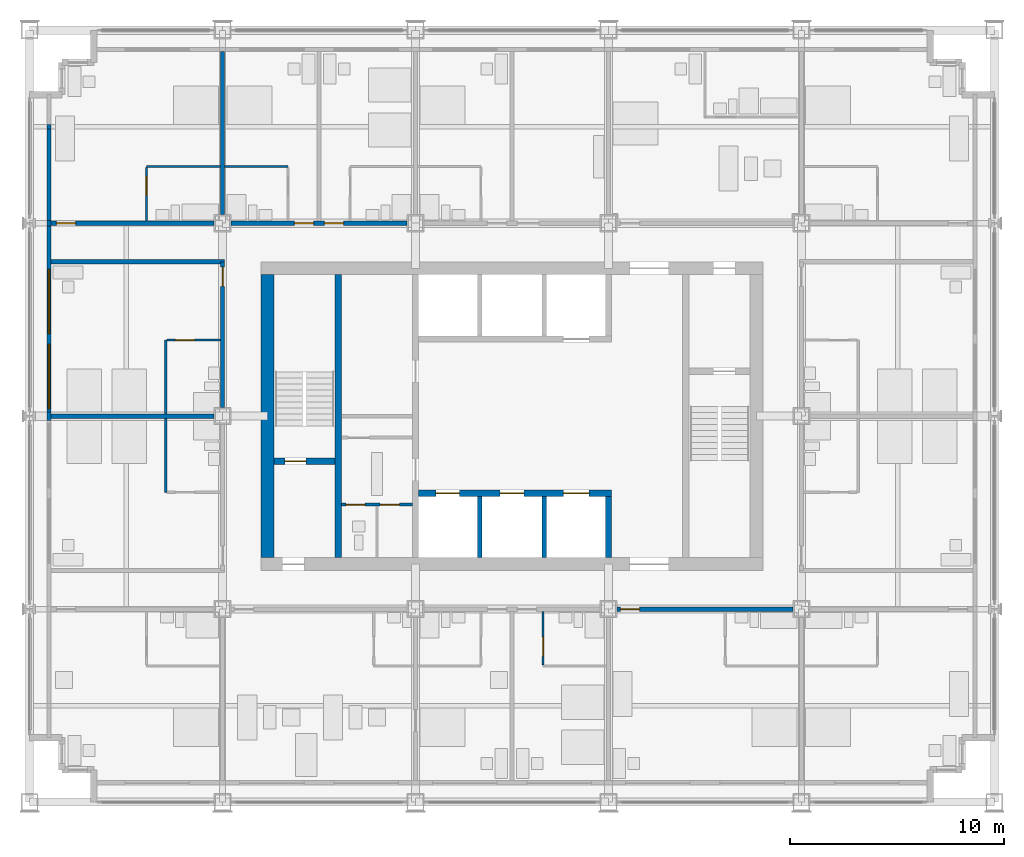
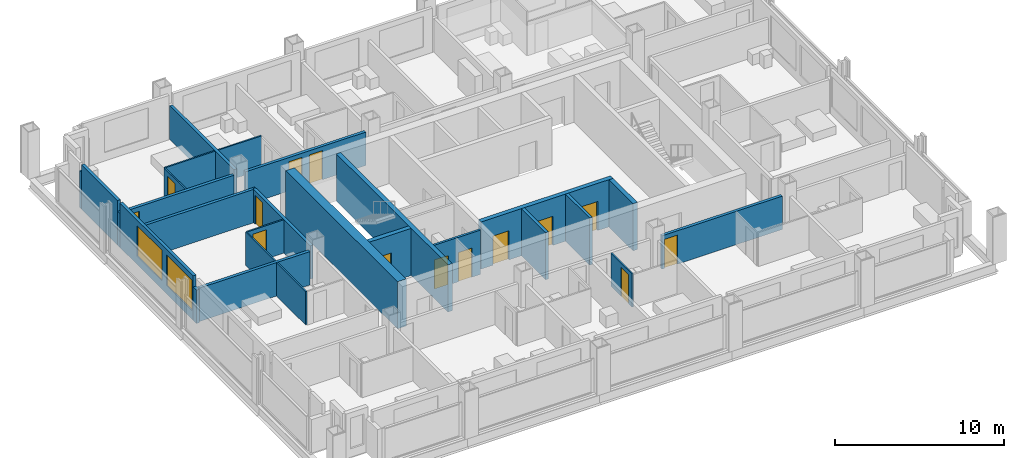
# One storey, part 10 of 16: 27 walls, 14 doors, 2 windows, 16 openings.
"""IFC4 building model written with IfcOpenShell, lengths in metres."""

from ifc_helpers import new_model, si_unit, direction, frame, frame_2d, origin, place, context, subcontext, project, spatial, rectangle, extrude, material, layer, layer_set, type_object, element, fill, save


model = new_model("IFC4")

# Units and contexts
model_context = context("Model", 3, precision=1e-05, world=origin(), true_north=direction((0.0, 1.0)))
body_context = subcontext(model_context, "Body", "Model", "MODEL_VIEW")
ifc_project = project(units=[si_unit("LENGTHUNIT", "METRE"), si_unit("AREAUNIT", "SQUARE_METRE"), si_unit("VOLUMEUNIT", "CUBIC_METRE"), si_unit("PLANEANGLEUNIT", "RADIAN"), si_unit("MASSUNIT", "GRAM", prefix="KILO")], contexts=[model_context])

# Site, building, storey
site_placement = place(None, origin())
site = spatial("IfcSite", under=ifc_project, at=site_placement, CompositionType="ELEMENT")
building_placement = place(site_placement, origin())
building = spatial("IfcBuilding", under=site, at=building_placement, Name="Loomwork Tower", CompositionType="ELEMENT")
storey_placement = place(building_placement, frame((0.0, 0.0, 131.60009765625)))
storey = spatial("IfcBuildingStorey", under=building, at=storey_placement, Name="L35", CompositionType="ELEMENT", Elevation=131.60009765625)

# Wall
ifc_material_1 = material(Name="Concrete 14000 psi (97 MPa)", Category="concrete")
ifc_layer_1 = layer(ifc_material_1, 0.300048828125)
ifc_layer_set_1 = layer_set([ifc_layer_1], Name="Core shear wall 300")
wall_type_1 = type_object("IfcWallType", Name="Core shear wall 300", PredefinedType="SHEAR", material=ifc_layer_set_1)
wall_1_placement = place(storey_placement, frame((14.39990234375, 11.39990234375, 0.0), z_axis=(0.0, 0.0, 1.0), x_axis=(0.0, 1.0, 0.0)))
element("IfcWall", 1, at=wall_1_placement, inside=storey, type_object=wall_type_1, Name="Stair A east wall L35", PredefinedType="SHEAR", context=body_context, shape_type="SweptSolid", body=[
    extrude(rectangle(XDim=13.2001953125, YDim=0.300048828125, at=frame_2d((6.60009765625, 0.0))), origin(), (0.0, 0.0, 1.0), 3.39990234375),
])

# Wall, opening, door
wall_2_placement = place(storey_placement, frame((11.39990234375, 15.89990234375, 0.0), z_axis=(0.0, 0.0, 1.0), x_axis=(1.0, 0.0, 0.0)))
wall_2 = element("IfcWall", 2, at=wall_2_placement, inside=storey, type_object=wall_type_1, Name="Stair A south wall L35", PredefinedType="SHEAR", context=body_context, shape_type="SweptSolid", body=[
    extrude(rectangle(XDim=2.85009765625, YDim=0.300048828125, at=frame_2d((1.425048828125, 0.0))), origin(), (0.0, 0.0, 1.0), 3.39990234375),
])
opening_1_placement = place(wall_2_placement, frame((0.5, 0.0, 0.0)))
opening_1 = element("IfcOpeningElement", 3, at=opening_1_placement, cuts=wall_2, Name="Opening D4", PredefinedType="OPENING", context=body_context, shape_type="SweptSolid", body=[
    extrude(rectangle(XDim=1.0, YDim=2.10009765625, at=frame_2d((0.5, 1.050048828125))), frame((0.0, 0.159912109375, 0.0), z_axis=(0.0, -1.0, 0.0), x_axis=(1.0, 0.0, 0.0)), (0.0, 0.0, 1.0), 0.320068359375),
])
ifc_material_2 = material(Name="Hollow metal door and frame")
door_type_1 = type_object("IfcDoorType", Name="Stair door 1000", OperationType="SINGLE_SWING_RIGHT", PredefinedType="DOOR", material=ifc_material_2)
door_1_placement = place(opening_1_placement, origin())
door_1 = element("IfcDoor", 4, at=door_1_placement, inside=storey, type_object=door_type_1, Name="Stair A door", OperationType="SINGLE_SWING_LEFT", OverallHeight=2.10009765625, OverallWidth=1.0, PredefinedType="DOOR", context=body_context, shape_type="SweptSolid", body=[
    extrude(rectangle(XDim=1.0, YDim=2.10009765625, at=frame_2d((0.5, 1.050048828125))), frame((0.0, 0.02490234375, 0.0), z_axis=(0.0, -1.0, 0.0), x_axis=(1.0, 0.0, 0.0)), (0.0, 0.0, 1.0), 0.050048828125),
])
fill(opening_1, door_1)

# Wall, openings, doors
wall_3_placement = place(storey_placement, frame((18.14990234375, 14.39990234375, 0.0), z_axis=(0.0, 0.0, 1.0), x_axis=(1.0, 0.0, 0.0)))
wall_3 = element("IfcWall", 5, at=wall_3_placement, inside=storey, type_object=wall_type_1, Name="Lift front wall south L35", PredefinedType="SHEAR", context=body_context, shape_type="SweptSolid", body=[
    extrude(rectangle(XDim=9.0, YDim=0.300048828125, at=frame_2d((4.5, 0.0))), origin(), (0.0, 0.0, 1.0), 3.39990234375),
])
opening_2_placement = place(wall_3_placement, frame((0.800048828125, 0.0, 0.0)))
opening_2 = element("IfcOpeningElement", 6, at=opening_2_placement, cuts=wall_3, Name="Opening LD1", PredefinedType="OPENING", context=body_context, shape_type="SweptSolid", body=[
    extrude(rectangle(XDim=1.10009765625, YDim=2.10009765625, at=frame_2d((0.550048828125, 1.050048828125))), frame((0.0, 0.159912109375, 0.0), z_axis=(0.0, -1.0, 0.0), x_axis=(1.0, 0.0, 0.0)), (0.0, 0.0, 1.0), 0.320068359375),
])
opening_3_placement = place(wall_3_placement, frame((3.800048828125, 0.0, 0.0)))
opening_3 = element("IfcOpeningElement", 7, at=opening_3_placement, cuts=wall_3, Name="Opening LD1", PredefinedType="OPENING", context=body_context, shape_type="SweptSolid", body=[
    extrude(rectangle(XDim=1.10009765625, YDim=2.10009765625, at=frame_2d((0.550048828125, 1.050048828125))), frame((0.0, 0.159912109375, 0.0), z_axis=(0.0, -1.0, 0.0), x_axis=(1.0, 0.0, 0.0)), (0.0, 0.0, 1.0), 0.320068359375),
])
opening_4_placement = place(wall_3_placement, frame((6.75, 0.0, 0.0)))
opening_4 = element("IfcOpeningElement", 8, at=opening_4_placement, cuts=wall_3, Name="Opening LD2", PredefinedType="OPENING", context=body_context, shape_type="SweptSolid", body=[
    extrude(rectangle(XDim=1.199951171875, YDim=2.10009765625, at=frame_2d((0.60009765625, 1.050048828125))), frame((0.0, 0.159912109375, 0.0), z_axis=(0.0, -1.0, 0.0), x_axis=(1.0, 0.0, 0.0)), (0.0, 0.0, 1.0), 0.320068359375),
])
ifc_material_3 = material(Name="Hollow metal door and frame")
door_type_2 = type_object("IfcDoorType", Name="Lift landing door 1100", OperationType="SLIDING_TO_LEFT", PredefinedType="DOOR", material=ifc_material_3)
door_2_placement = place(opening_2_placement, origin())
door_2 = element("IfcDoor", 9, at=door_2_placement, inside=storey, type_object=door_type_2, Name="Lift landing door LB1", OperationType="SLIDING_TO_LEFT", OverallHeight=2.10009765625, OverallWidth=1.10009765625, PredefinedType="DOOR", context=body_context, shape_type="SweptSolid", body=[
    extrude(rectangle(XDim=1.10009765625, YDim=2.10009765625, at=frame_2d((0.550048828125, 1.050048828125))), frame((0.0, 0.02490234375, 0.0), z_axis=(0.0, -1.0, 0.0), x_axis=(1.0, 0.0, 0.0)), (0.0, 0.0, 1.0), 0.050048828125),
])
fill(opening_2, door_2)
door_3_placement = place(opening_3_placement, origin())
door_3 = element("IfcDoor", 10, at=door_3_placement, inside=storey, type_object=door_type_2, Name="Lift landing door LB2", OperationType="SLIDING_TO_LEFT", OverallHeight=2.10009765625, OverallWidth=1.10009765625, PredefinedType="DOOR", context=body_context, shape_type="SweptSolid", body=[
    extrude(rectangle(XDim=1.10009765625, YDim=2.10009765625, at=frame_2d((0.550048828125, 1.050048828125))), frame((0.0, 0.02490234375, 0.0), z_axis=(0.0, -1.0, 0.0), x_axis=(1.0, 0.0, 0.0)), (0.0, 0.0, 1.0), 0.050048828125),
])
fill(opening_3, door_3)
ifc_material_4 = material(Name="Hollow metal door and frame")
door_type_3 = type_object("IfcDoorType", Name="Lift landing door 1200", OperationType="SLIDING_TO_LEFT", PredefinedType="DOOR", material=ifc_material_4)
door_4_placement = place(opening_4_placement, origin())
door_4 = element("IfcDoor", 11, at=door_4_placement, inside=storey, type_object=door_type_3, Name="Lift landing door LF1", OperationType="SLIDING_TO_LEFT", OverallHeight=2.10009765625, OverallWidth=1.199951171875, PredefinedType="DOOR", context=body_context, shape_type="SweptSolid", body=[
    extrude(rectangle(XDim=1.199951171875, YDim=2.10009765625, at=frame_2d((0.60009765625, 1.050048828125))), frame((0.0, 0.02490234375, 0.0), z_axis=(0.0, -1.0, 0.0), x_axis=(1.0, 0.0, 0.0)), (0.0, 0.0, 1.0), 0.050048828125),
])
fill(opening_4, door_4)

# Walls
wall_4_placement = place(storey_placement, frame((27.0, 11.39990234375, 0.0), z_axis=(0.0, 0.0, 1.0), x_axis=(0.0, 1.0, 0.0)))
element("IfcWall", 12, at=wall_4_placement, inside=storey, type_object=wall_type_1, Name="Lift shaft end wall south L35", PredefinedType="SHEAR", context=body_context, shape_type="SweptSolid", body=[
    extrude(rectangle(XDim=2.85009765625, YDim=0.300048828125, at=frame_2d((1.425048828125, 0.0))), origin(), (0.0, 0.0, 1.0), 3.39990234375),
])
ifc_material_5 = material(Name="Concrete 14000 psi (97 MPa)", Category="concrete")
ifc_layer_2 = layer(ifc_material_5, 0.60009765625)
ifc_layer_set_2 = layer_set([ifc_layer_2], Name="Core shear wall 600")
wall_type_2 = type_object("IfcWallType", Name="Core shear wall 600", PredefinedType="SHEAR", material=ifc_layer_set_2)
wall_5_placement = place(storey_placement, frame((11.10009765625, 11.39990234375, 0.0), z_axis=(0.0, 0.0, 1.0), x_axis=(0.0, 1.0, 0.0)))
element("IfcWall", 13, at=wall_5_placement, inside=storey, type_object=wall_type_2, Name="Core wall west L35", PredefinedType="SHEAR", context=body_context, shape_type="SweptSolid", body=[
    extrude(rectangle(XDim=13.2001953125, YDim=0.60009765625, at=frame_2d((6.60009765625, 0.0))), origin(), (0.0, 0.0, 1.0), 3.39990234375),
])

# Wall, opening, door
ifc_material_6 = material(Name="Gypsum board on steel studs, one-hour", Category="steel")
ifc_layer_3 = layer(ifc_material_6, 0.199951171875)
ifc_layer_set_3 = layer_set([ifc_layer_3], Name="Corridor wall 200")
wall_type_3 = type_object("IfcWallType", Name="Corridor wall 200", PredefinedType="PARTITIONING", material=ifc_layer_set_3)
wall_6_placement = place(storey_placement, frame((27.39990234375, 9.0, 0.0), z_axis=(0.0, 0.0, 1.0), x_axis=(1.0, 0.0, 0.0)))
wall_6 = element("IfcWall", 14, at=wall_6_placement, inside=storey, type_object=wall_type_3, Name="South corridor wall 4", PredefinedType="PARTITIONING", context=body_context, shape_type="SweptSolid", body=[
    extrude(rectangle(XDim=8.2001953125, YDim=0.199951171875, at=frame_2d((4.10009765625, 0.0))), origin(), (0.0, 0.0, 1.0), 2.40478515625),
])
opening_5_placement = place(wall_6_placement, frame((0.14990234375, 0.0, 0.0)))
opening_5 = element("IfcOpeningElement", 15, at=opening_5_placement, cuts=wall_6, Name="Opening D1", PredefinedType="OPENING", context=body_context, shape_type="SweptSolid", body=[
    extrude(rectangle(XDim=0.89990234375, YDim=2.10009765625, at=frame_2d((0.449951171875, 1.050048828125))), frame((0.0, 0.10986328125, 0.0), z_axis=(0.0, -1.0, 0.0), x_axis=(1.0, 0.0, 0.0)), (0.0, 0.0, 1.0), 0.219970703125),
])
ifc_material_7 = material(Name="Hollow metal door and frame")
door_type_4 = type_object("IfcDoorType", Name="Guest room entry door 900", OperationType="SINGLE_SWING_LEFT", PredefinedType="DOOR", material=ifc_material_7)
door_5_placement = place(opening_5_placement, frame((0.89990234375, 0.0, 0.0), z_axis=(0.0, 0.0, 1.0), x_axis=(-1.0, 0.0, 0.0)))
door_5 = element("IfcDoor", 16, at=door_5_placement, inside=storey, type_object=door_type_4, Name="Guest room entry door L35 5", OperationType="SINGLE_SWING_RIGHT", OverallHeight=2.10009765625, OverallWidth=0.89990234375, PredefinedType="DOOR", context=body_context, shape_type="SweptSolid", body=[
    extrude(rectangle(XDim=0.89990234375, YDim=2.10009765625, at=frame_2d((0.449951171875, 1.050048828125))), frame((0.0, 0.02490234375, 0.0), z_axis=(0.0, -1.0, 0.0), x_axis=(1.0, 0.0, 0.0)), (0.0, 0.0, 1.0), 0.050048828125),
])
fill(opening_5, door_5)

wall_7_placement = place(storey_placement, frame((1.0, 27.0, 0.0), z_axis=(0.0, 0.0, 1.0), x_axis=(1.0, 0.0, 0.0)))
wall_7 = element("IfcWall", 17, at=wall_7_placement, inside=storey, type_object=wall_type_3, Name="North corridor wall 1", PredefinedType="PARTITIONING", context=body_context, shape_type="SweptSolid", body=[
    extrude(rectangle(XDim=7.60009765625, YDim=0.199951171875, at=frame_2d((3.800048828125, 0.0))), origin(), (0.0, 0.0, 1.0), 2.43798828125),
])
opening_6_placement = place(wall_7_placement, frame((0.25, 0.0, 0.0)))
opening_6 = element("IfcOpeningElement", 18, at=opening_6_placement, cuts=wall_7, Name="Opening D1", PredefinedType="OPENING", context=body_context, shape_type="SweptSolid", body=[
    extrude(rectangle(XDim=0.89990234375, YDim=2.10009765625, at=frame_2d((0.449951171875, 1.050048828125))), frame((0.0, 0.10986328125, 0.0), z_axis=(0.0, -1.0, 0.0), x_axis=(1.0, 0.0, 0.0)), (0.0, 0.0, 1.0), 0.219970703125),
])
door_6_placement = place(opening_6_placement, origin())
door_6 = element("IfcDoor", 19, at=door_6_placement, inside=storey, type_object=door_type_4, Name="Guest room entry door L35 7", OperationType="SINGLE_SWING_LEFT", OverallHeight=2.10009765625, OverallWidth=0.89990234375, PredefinedType="DOOR", context=body_context, shape_type="SweptSolid", body=[
    extrude(rectangle(XDim=0.89990234375, YDim=2.10009765625, at=frame_2d((0.449951171875, 1.050048828125))), frame((0.0, 0.02490234375, 0.0), z_axis=(0.0, -1.0, 0.0), x_axis=(1.0, 0.0, 0.0)), (0.0, 0.0, 1.0), 0.050048828125),
])
fill(opening_6, door_6)

# Wall, openings, doors
wall_8_placement = place(storey_placement, frame((9.39990234375, 27.0, 0.0), z_axis=(0.0, 0.0, 1.0), x_axis=(1.0, 0.0, 0.0)))
wall_8 = element("IfcWall", 20, at=wall_8_placement, inside=storey, type_object=wall_type_3, Name="North corridor wall 2", PredefinedType="PARTITIONING", context=body_context, shape_type="SweptSolid", body=[
    extrude(rectangle(XDim=8.2001953125, YDim=0.199951171875, at=frame_2d((4.10009765625, 0.0))), origin(), (0.0, 0.0, 1.0), 2.40478515625),
])
opening_7_placement = place(wall_8_placement, frame((2.949951171875, 0.0, 0.0)))
opening_7 = element("IfcOpeningElement", 21, at=opening_7_placement, cuts=wall_8, Name="Opening D1", PredefinedType="OPENING", context=body_context, shape_type="SweptSolid", body=[
    extrude(rectangle(XDim=0.89990234375, YDim=2.10009765625, at=frame_2d((0.449951171875, 1.050048828125))), frame((0.0, 0.10986328125, 0.0), z_axis=(0.0, -1.0, 0.0), x_axis=(1.0, 0.0, 0.0)), (0.0, 0.0, 1.0), 0.219970703125),
])
opening_8_placement = place(wall_8_placement, frame((4.35009765625, 0.0, 0.0)))
opening_8 = element("IfcOpeningElement", 22, at=opening_8_placement, cuts=wall_8, Name="Opening D1", PredefinedType="OPENING", context=body_context, shape_type="SweptSolid", body=[
    extrude(rectangle(XDim=0.89990234375, YDim=2.10009765625, at=frame_2d((0.449951171875, 1.050048828125))), frame((0.0, 0.10986328125, 0.0), z_axis=(0.0, -1.0, 0.0), x_axis=(1.0, 0.0, 0.0)), (0.0, 0.0, 1.0), 0.219970703125),
])
door_7_placement = place(opening_7_placement, origin())
door_7 = element("IfcDoor", 23, at=door_7_placement, inside=storey, type_object=door_type_4, Name="Guest room entry door L35 8", OperationType="SINGLE_SWING_RIGHT", OverallHeight=2.10009765625, OverallWidth=0.89990234375, PredefinedType="DOOR", context=body_context, shape_type="SweptSolid", body=[
    extrude(rectangle(XDim=0.89990234375, YDim=2.10009765625, at=frame_2d((0.449951171875, 1.050048828125))), frame((0.0, 0.02490234375, 0.0), z_axis=(0.0, -1.0, 0.0), x_axis=(1.0, 0.0, 0.0)), (0.0, 0.0, 1.0), 0.050048828125),
])
fill(opening_7, door_7)
door_8_placement = place(opening_8_placement, origin())
door_8 = element("IfcDoor", 24, at=door_8_placement, inside=storey, type_object=door_type_4, Name="Guest room entry door L35 9", OperationType="SINGLE_SWING_LEFT", OverallHeight=2.10009765625, OverallWidth=0.89990234375, PredefinedType="DOOR", context=body_context, shape_type="SweptSolid", body=[
    extrude(rectangle(XDim=0.89990234375, YDim=2.10009765625, at=frame_2d((0.449951171875, 1.050048828125))), frame((0.0, 0.02490234375, 0.0), z_axis=(0.0, -1.0, 0.0), x_axis=(1.0, 0.0, 0.0)), (0.0, 0.0, 1.0), 0.050048828125),
])
fill(opening_8, door_8)

# Wall, opening, door
wall_9_placement = place(storey_placement, frame((9.0, 18.39990234375, 0.0), z_axis=(0.0, 0.0, 1.0), x_axis=(0.0, 1.0, 0.0)))
wall_9 = element("IfcWall", 25, at=wall_9_placement, inside=storey, type_object=wall_type_3, Name="West corridor wall 2", PredefinedType="PARTITIONING", context=body_context, shape_type="SweptSolid", body=[
    extrude(rectangle(XDim=6.800048828125, YDim=0.199951171875, at=frame_2d((3.39990234375, 0.0))), origin(), (0.0, 0.0, 1.0), 2.40478515625),
])
opening_9_placement = place(wall_9_placement, frame((5.64990234375, 0.0, 0.0)))
opening_9 = element("IfcOpeningElement", 26, at=opening_9_placement, cuts=wall_9, Name="Opening D1", PredefinedType="OPENING", context=body_context, shape_type="SweptSolid", body=[
    extrude(rectangle(XDim=0.89990234375, YDim=2.10009765625, at=frame_2d((0.449951171875, 1.050048828125))), frame((0.0, 0.10986328125, 0.0), z_axis=(0.0, -1.0, 0.0), x_axis=(1.0, 0.0, 0.0)), (0.0, 0.0, 1.0), 0.219970703125),
])
door_9_placement = place(opening_9_placement, origin())
door_9 = element("IfcDoor", 27, at=door_9_placement, inside=storey, type_object=door_type_4, Name="Guest room entry door L35 15", OperationType="SINGLE_SWING_RIGHT", OverallHeight=2.10009765625, OverallWidth=0.89990234375, PredefinedType="DOOR", context=body_context, shape_type="SweptSolid", body=[
    extrude(rectangle(XDim=0.89990234375, YDim=2.10009765625, at=frame_2d((0.449951171875, 1.050048828125))), frame((0.0, 0.02490234375, 0.0), z_axis=(0.0, -1.0, 0.0), x_axis=(1.0, 0.0, 0.0)), (0.0, 0.0, 1.0), 0.050048828125),
])
fill(opening_9, door_9)

# Wall
wall_10_placement = place(storey_placement, frame((1.0, 25.199951171875, 0.0), z_axis=(0.0, 0.0, 1.0), x_axis=(1.0, 0.0, 0.0)))
element("IfcWall", 28, at=wall_10_placement, inside=storey, type_object=wall_type_3, Name="West band end wall N", PredefinedType="PARTITIONING", context=body_context, shape_type="SweptSolid", body=[
    extrude(rectangle(XDim=8.10009765625, YDim=0.199951171875, at=frame_2d((4.050048828125, 0.0))), origin(), (0.0, 0.0, 1.0), 2.40380859375),
])

# Wall, opening, door
ifc_material_8 = material(Name="Cement board on steel studs", Category="steel")
ifc_layer_4 = layer(ifc_material_8, 0.10009765625)
ifc_layer_set_4 = layer_set([ifc_layer_4], Name="En-suite partition 100")
wall_type_4 = type_object("IfcWallType", Name="En-suite partition 100", PredefinedType="PARTITIONING", material=ifc_layer_set_4)
wall_11_placement = place(storey_placement, frame((23.949951171875, 8.89990234375, 0.0), z_axis=(0.0, 0.0, 1.0), x_axis=(0.0, -1.0, 0.0)))
wall_11 = element("IfcWall", 29, at=wall_11_placement, inside=storey, type_object=wall_type_4, Name="En-suite side wall L35 room 4", PredefinedType="PARTITIONING", context=body_context, shape_type="SweptSolid", body=[
    extrude(rectangle(XDim=2.5, YDim=0.10009765625, at=frame_2d((1.25, 0.0))), origin(), (0.0, 0.0, 1.0), 2.40380859375),
])
opening_10_placement = place(wall_11_placement, frame((1.199951171875, 0.0, 0.0)))
opening_10 = element("IfcOpeningElement", 30, at=opening_10_placement, cuts=wall_11, Name="Opening D2", PredefinedType="OPENING", context=body_context, shape_type="SweptSolid", body=[
    extrude(rectangle(XDim=0.89990234375, YDim=2.10009765625, at=frame_2d((0.449951171875, 1.050048828125))), frame((0.0, 0.06005859375, 0.0), z_axis=(0.0, -1.0, 0.0), x_axis=(1.0, 0.0, 0.0)), (0.0, 0.0, 1.0), 0.1201171875),
])
ifc_material_9 = material(Name="Hollow metal door and frame")
door_type_5 = type_object("IfcDoorType", Name="En-suite door 900", OperationType="SINGLE_SWING_LEFT", PredefinedType="DOOR", material=ifc_material_9)
door_10_placement = place(opening_10_placement, origin())
door_10 = element("IfcDoor", 31, at=door_10_placement, inside=storey, type_object=door_type_5, Name="En-suite door room 4", OperationType="SINGLE_SWING_RIGHT", OverallHeight=2.10009765625, OverallWidth=0.89990234375, PredefinedType="DOOR", context=body_context, shape_type="SweptSolid", body=[
    extrude(rectangle(XDim=0.89990234375, YDim=2.10009765625, at=frame_2d((0.449951171875, 1.050048828125))), frame((0.0, 0.02490234375, 0.0), z_axis=(0.0, -1.0, 0.0), x_axis=(1.0, 0.0, 0.0)), (0.0, 0.0, 1.0), 0.050048828125),
])
fill(opening_10, door_10)

# Wall
wall_12_placement = place(storey_placement, frame((5.449951171875, 29.64990234375, 0.0), z_axis=(0.0, 0.0, 1.0), x_axis=(1.0, 0.0, 0.0)))
element("IfcWall", 32, at=wall_12_placement, inside=storey, type_object=wall_type_4, Name="En-suite wall L35 room 7", PredefinedType="PARTITIONING", context=body_context, shape_type="SweptSolid", body=[
    extrude(rectangle(XDim=3.449951171875, YDim=0.10009765625, at=frame_2d((1.72509765625, 0.0))), origin(), (0.0, 0.0, 1.0), 2.43798828125),
])

# Wall, opening, door
wall_13_placement = place(storey_placement, frame((5.449951171875, 27.10009765625, 0.0), z_axis=(0.0, 0.0, 1.0), x_axis=(0.0, 1.0, 0.0)))
wall_13 = element("IfcWall", 33, at=wall_13_placement, inside=storey, type_object=wall_type_4, Name="En-suite side wall L35 room 7", PredefinedType="PARTITIONING", context=body_context, shape_type="SweptSolid", body=[
    extrude(rectangle(XDim=2.5, YDim=0.10009765625, at=frame_2d((1.25, 0.0))), origin(), (0.0, 0.0, 1.0), 2.43798828125),
])
opening_11_placement = place(wall_13_placement, frame((1.199951171875, 0.0, 0.0)))
opening_11 = element("IfcOpeningElement", 34, at=opening_11_placement, cuts=wall_13, Name="Opening D2", PredefinedType="OPENING", context=body_context, shape_type="SweptSolid", body=[
    extrude(rectangle(XDim=0.89990234375, YDim=2.10009765625, at=frame_2d((0.449951171875, 1.050048828125))), frame((0.0, 0.06005859375, 0.0), z_axis=(0.0, -1.0, 0.0), x_axis=(1.0, 0.0, 0.0)), (0.0, 0.0, 1.0), 0.1201171875),
])
door_11_placement = place(opening_11_placement, frame((0.89990234375, 0.0, 0.0), z_axis=(0.0, 0.0, 1.0), x_axis=(-1.0, 0.0, 0.0)))
door_11 = element("IfcDoor", 35, at=door_11_placement, inside=storey, type_object=door_type_5, Name="En-suite door room 7", OperationType="SINGLE_SWING_LEFT", OverallHeight=2.10009765625, OverallWidth=0.89990234375, PredefinedType="DOOR", context=body_context, shape_type="SweptSolid", body=[
    extrude(rectangle(XDim=0.89990234375, YDim=2.10009765625, at=frame_2d((0.449951171875, 1.050048828125))), frame((0.0, 0.02490234375, 0.0), z_axis=(0.0, -1.0, 0.0), x_axis=(1.0, 0.0, 0.0)), (0.0, 0.0, 1.0), 0.050048828125),
])
fill(opening_11, door_11)

# Walls
wall_14_placement = place(storey_placement, frame((9.10009765625, 29.64990234375, 0.0), z_axis=(0.0, 0.0, 1.0), x_axis=(1.0, 0.0, 0.0)))
element("IfcWall", 36, at=wall_14_placement, inside=storey, type_object=wall_type_4, Name="En-suite wall L35 room 8", PredefinedType="PARTITIONING", context=body_context, shape_type="SweptSolid", body=[
    extrude(rectangle(XDim=2.949951171875, YDim=0.10009765625, at=frame_2d((1.47509765625, 0.0))), origin(), (0.0, 0.0, 1.0), 2.43798828125),
])
for number, where, z_axis, x_axis, name in (
    (37, (6.35009765625, 14.449951171875, 0.0), (0.0, 0.0, 1.0), (0.0, 1.0, 0.0), "En-suite wall L35 room 14"),
    (38, (6.35009765625, 18.10009765625, 0.0), (0.0, 0.0, 1.0), (0.0, 1.0, 0.0), "En-suite wall L35 room 15"),
):
    element("IfcWall", number, at=place(storey_placement, frame(where, z_axis=z_axis, x_axis=x_axis)), inside=storey, type_object=wall_type_4, Name=name, PredefinedType="PARTITIONING", context=body_context, shape_type="SweptSolid", body=[
        extrude(rectangle(XDim=3.449951171875, YDim=0.10009765625, at=frame_2d((1.72509765625, 0.0))), origin(), (0.0, 0.0, 1.0), 2.40380859375),
    ])

# Wall, opening, door
wall_15_placement = place(storey_placement, frame((8.89990234375, 21.550048828125, 0.0), z_axis=(0.0, 0.0, 1.0), x_axis=(-1.0, 0.0, 0.0)))
wall_15 = element("IfcWall", 39, at=wall_15_placement, inside=storey, type_object=wall_type_4, Name="En-suite side wall L35 room 15", PredefinedType="PARTITIONING", context=body_context, shape_type="SweptSolid", body=[
    extrude(rectangle(XDim=2.5, YDim=0.10009765625, at=frame_2d((1.25, 0.0))), origin(), (0.0, 0.0, 1.0), 2.40380859375),
])
opening_12_placement = place(wall_15_placement, frame((1.199951171875, 0.0, 0.0)))
opening_12 = element("IfcOpeningElement", 40, at=opening_12_placement, cuts=wall_15, Name="Opening D2", PredefinedType="OPENING", context=body_context, shape_type="SweptSolid", body=[
    extrude(rectangle(XDim=0.89990234375, YDim=2.10009765625, at=frame_2d((0.449951171875, 1.050048828125))), frame((0.0, 0.06005859375, 0.0), z_axis=(0.0, -1.0, 0.0), x_axis=(1.0, 0.0, 0.0)), (0.0, 0.0, 1.0), 0.1201171875),
])
door_12_placement = place(opening_12_placement, origin())
door_12 = element("IfcDoor", 41, at=door_12_placement, inside=storey, type_object=door_type_5, Name="En-suite door room 15", OperationType="SINGLE_SWING_RIGHT", OverallHeight=2.10009765625, OverallWidth=0.89990234375, PredefinedType="DOOR", context=body_context, shape_type="SweptSolid", body=[
    extrude(rectangle(XDim=0.89990234375, YDim=2.10009765625, at=frame_2d((0.449951171875, 1.050048828125))), frame((0.0, 0.02490234375, 0.0), z_axis=(0.0, -1.0, 0.0), x_axis=(1.0, 0.0, 0.0)), (0.0, 0.0, 1.0), 0.050048828125),
])
fill(opening_12, door_12)

# Walls
ifc_material_10 = material(Name="Gypsum board on steel studs, acoustic", Category="steel")
ifc_layer_5 = layer(ifc_material_10, 0.199951171875)
ifc_layer_set_5 = layer_set([ifc_layer_5], Name="Guest room party wall 200")
wall_type_5 = type_object("IfcWallType", Name="Guest room party wall 200", PredefinedType="PARTITIONING", material=ifc_layer_set_5)
wall_16_placement = place(storey_placement, frame((9.0, 27.39990234375, 0.0), z_axis=(0.0, 0.0, 1.0), x_axis=(0.0, 1.0, 0.0)))
element("IfcWall", 42, at=wall_16_placement, inside=storey, type_object=wall_type_5, Name="Guest room party wall N 9", PredefinedType="PARTITIONING", context=body_context, shape_type="SweptSolid", body=[
    extrude(rectangle(XDim=7.60009765625, YDim=0.199951171875, at=frame_2d((3.800048828125, 0.0))), origin(), (0.0, 0.0, 1.0), 2.43798828125),
])
wall_17_placement = place(storey_placement, frame((8.60009765625, 18.0, 0.0), z_axis=(0.0, 0.0, 1.0), x_axis=(-1.0, 0.0, 0.0)))
element("IfcWall", 43, at=wall_17_placement, inside=storey, type_object=wall_type_5, Name="Guest room party wall W 18", PredefinedType="PARTITIONING", context=body_context, shape_type="SweptSolid", body=[
    extrude(rectangle(XDim=7.60009765625, YDim=0.199951171875, at=frame_2d((3.800048828125, 0.0))), origin(), (0.0, 0.0, 1.0), 2.40478515625),
])
ifc_material_11 = material(Name="Insulated steel stud wall with gypsum lining", Category="steel")
ifc_layer_6 = layer(ifc_material_11, 0.199951171875)
ifc_layer_set_6 = layer_set([ifc_layer_6], Name="Inner skin wall 200")
wall_type_6 = type_object("IfcWallType", Name="Inner skin wall 200", PredefinedType="SOLIDWALL", material=ifc_layer_set_6)
wall_18_placement = place(storey_placement, frame((0.89990234375, 17.80615234375, 0.0), z_axis=(0.0, 0.0, 1.0), x_axis=(0.0, 1.0, 0.0)))
element("IfcWall", 44, at=wall_18_placement, inside=storey, type_object=wall_type_6, Name="Inner skin wall W bay 6", PredefinedType="SOLIDWALL", context=body_context, shape_type="SweptSolid", body=[
    extrude(rectangle(XDim=0.3876953125, YDim=0.199951171875, at=frame_2d((0.19384765625, 0.0))), origin(), (0.0, 0.0, 1.0), 2.40380859375),
])

# Wall, openings, windows
wall_19_placement = place(storey_placement, frame((0.89990234375, 18.19384765625, 0.0), z_axis=(0.0, 0.0, 1.0), x_axis=(0.0, 1.0, 0.0)))
wall_19 = element("IfcWall", 45, at=wall_19_placement, inside=storey, type_object=wall_type_6, Name="Inner skin wall W bay 7", PredefinedType="SOLIDWALL", context=body_context, shape_type="SweptSolid", body=[
    extrude(rectangle(XDim=8.6708984375, YDim=0.199951171875, at=frame_2d((4.33544921875, 0.0))), origin(), (0.0, 0.0, 1.0), 3.199951171875),
])
opening_13_placement = place(wall_19_placement, frame((0.15625, 0.0, 0.60009765625)))
opening_13 = element("IfcOpeningElement", 46, at=opening_13_placement, cuts=wall_19, Name="Opening CH1", PredefinedType="OPENING", context=body_context, shape_type="SweptSolid", body=[
    extrude(rectangle(XDim=3.0, YDim=2.199951171875, at=frame_2d((1.5, 1.10009765625))), frame((0.0, 0.10986328125, 0.0), z_axis=(0.0, -1.0, 0.0), x_axis=(1.0, 0.0, 0.0)), (0.0, 0.0, 1.0), 0.219970703125),
])
opening_14_placement = place(wall_19_placement, frame((3.65625, 0.0, 0.60009765625)))
opening_14 = element("IfcOpeningElement", 47, at=opening_14_placement, cuts=wall_19, Name="Opening CH1", PredefinedType="OPENING", context=body_context, shape_type="SweptSolid", body=[
    extrude(rectangle(XDim=3.0, YDim=2.199951171875, at=frame_2d((1.5, 1.10009765625))), frame((0.0, 0.10986328125, 0.0), z_axis=(0.0, -1.0, 0.0), x_axis=(1.0, 0.0, 0.0)), (0.0, 0.0, 1.0), 0.219970703125),
])
ifc_material_12 = material(Name="Aluminium frame with clear insulated glass", Category="aluminium")
window_type = type_object("IfcWindowType", Name="Chicago window 3000", PartitioningType="TRIPLE_PANEL_VERTICAL", PredefinedType="WINDOW", material=ifc_material_12)
window_1_placement = place(opening_13_placement, origin())
window_1 = element("IfcWindow", 48, at=window_1_placement, inside=storey, type_object=window_type, Name="Chicago window L35 bay 12", OverallHeight=2.199951171875, OverallWidth=3.0, PartitioningType="TRIPLE_PANEL_VERTICAL", PredefinedType="WINDOW", context=body_context, shape_type="SweptSolid", body=[
    extrude(rectangle(XDim=3.0, YDim=2.199951171875, at=frame_2d((1.5, 1.10009765625))), frame((0.0, 0.030029296875, 0.0), z_axis=(0.0, -1.0, 0.0), x_axis=(1.0, 0.0, 0.0)), (0.0, 0.0, 1.0), 0.06005859375),
])
fill(opening_13, window_1)
window_2_placement = place(opening_14_placement, origin())
window_2 = element("IfcWindow", 49, at=window_2_placement, inside=storey, type_object=window_type, Name="Chicago window L35 bay 12", OverallHeight=2.199951171875, OverallWidth=3.0, PartitioningType="TRIPLE_PANEL_VERTICAL", PredefinedType="WINDOW", context=body_context, shape_type="SweptSolid", body=[
    extrude(rectangle(XDim=3.0, YDim=2.199951171875, at=frame_2d((1.5, 1.10009765625))), frame((0.0, 0.030029296875, 0.0), z_axis=(0.0, -1.0, 0.0), x_axis=(1.0, 0.0, 0.0)), (0.0, 0.0, 1.0), 0.06005859375),
])
fill(opening_14, window_2)

# Walls
wall_20_placement = place(storey_placement, frame((0.89990234375, 26.86474609375, 0.0), z_axis=(0.0, 0.0, 1.0), x_axis=(0.0, 1.0, 0.0)))
element("IfcWall", 50, at=wall_20_placement, inside=storey, type_object=wall_type_6, Name="Inner skin wall W bay 8", PredefinedType="SOLIDWALL", context=body_context, shape_type="SweptSolid", body=[
    extrude(rectangle(XDim=0.2705078125, YDim=0.199951171875, at=frame_2d((0.13525390625, 0.0))), origin(), (0.0, 0.0, 1.0), 2.43798828125),
])
wall_21_placement = place(storey_placement, frame((0.89990234375, 27.13525390625, 0.0), z_axis=(0.0, 0.0, 1.0), x_axis=(0.0, 1.0, 0.0)))
element("IfcWall", 51, at=wall_21_placement, inside=storey, type_object=wall_type_6, Name="Inner skin wall W bay 9", PredefinedType="SOLIDWALL", context=body_context, shape_type="SweptSolid", body=[
    extrude(rectangle(XDim=4.25732421875, YDim=0.199951171875, at=frame_2d((2.128662109375, 0.0))), origin(), (0.0, 0.0, 1.0), 3.199951171875),
])
wall_22_placement = place(storey_placement, frame((0.89990234375, 31.392578125, 0.0), z_axis=(0.0, 0.0, 1.0), x_axis=(0.0, 1.0, 0.0)))
element("IfcWall", 52, at=wall_22_placement, inside=storey, type_object=wall_type_6, Name="Inner skin wall W bay 10", PredefinedType="SOLIDWALL", context=body_context, shape_type="SweptSolid", body=[
    extrude(rectangle(XDim=0.21484375, YDim=0.199951171875, at=frame_2d((0.107421875, 0.0))), origin(), (0.0, 0.0, 1.0), 2.660888671875),
])
ifc_material_13 = material(Name="Concrete 14000 psi (97 MPa)", Category="concrete")
ifc_layer_7 = layer(ifc_material_13, 0.199951171875)
ifc_layer_set_7 = layer_set([ifc_layer_7], Name="Lift shaft wall 200")
wall_type_7 = type_object("IfcWallType", Name="Lift shaft wall 200", PredefinedType="SHEAR", material=ifc_layer_set_7)
for number, where, z_axis, x_axis, name in (
    (53, (21.0, 11.39990234375, 0.0), (0.0, 0.0, 1.0), (0.0, 1.0, 0.0), "Lift shaft separation wall south 1 L35"),
    (54, (24.0, 11.39990234375, 0.0), (0.0, 0.0, 1.0), (0.0, 1.0, 0.0), "Lift shaft separation wall south 2 L35"),
):
    element("IfcWall", number, at=place(storey_placement, frame(where, z_axis=z_axis, x_axis=x_axis)), inside=storey, type_object=wall_type_7, Name=name, PredefinedType="SHEAR", context=body_context, shape_type="SweptSolid", body=[
        extrude(rectangle(XDim=2.85009765625, YDim=0.199951171875, at=frame_2d((1.425048828125, 0.0))), origin(), (0.0, 0.0, 1.0), 3.39990234375),
    ])

# Wall, openings, doors
ifc_material_14 = material(Name="Gypsum board on steel studs, one-hour", Category="steel")
ifc_layer_8 = layer(ifc_material_14, 0.14990234375)
ifc_layer_set_8 = layer_set([ifc_layer_8], Name="Service partition 150")
wall_type_8 = type_object("IfcWallType", Name="Service partition 150", PredefinedType="PARTITIONING", material=ifc_layer_set_8)
wall_23_placement = place(storey_placement, frame((14.550048828125, 13.875, 0.0), z_axis=(0.0, 0.0, 1.0), x_axis=(1.0, 0.0, 0.0)))
wall_23 = element("IfcWall", 55, at=wall_23_placement, inside=storey, type_object=wall_type_8, Name="Back-of-house partition L35", PredefinedType="PARTITIONING", context=body_context, shape_type="SweptSolid", body=[
    extrude(rectangle(XDim=3.300048828125, YDim=0.14990234375, at=frame_2d((1.64990234375, 0.0))), origin(), (0.0, 0.0, 1.0), 3.199951171875),
])
opening_15_placement = place(wall_23_placement, frame((0.199951171875, 0.0, 0.0)))
opening_15 = element("IfcOpeningElement", 56, at=opening_15_placement, cuts=wall_23, Name="Opening D20", PredefinedType="OPENING", context=body_context, shape_type="SweptSolid", body=[
    extrude(rectangle(XDim=0.89990234375, YDim=2.10009765625, at=frame_2d((0.449951171875, 1.050048828125))), frame((0.0, 0.0849609375, 0.0), z_axis=(0.0, -1.0, 0.0), x_axis=(1.0, 0.0, 0.0)), (0.0, 0.0, 1.0), 0.169921875),
])
opening_16_placement = place(wall_23_placement, frame((1.800048828125, 0.0, 0.0)))
opening_16 = element("IfcOpeningElement", 57, at=opening_16_placement, cuts=wall_23, Name="Opening D20", PredefinedType="OPENING", context=body_context, shape_type="SweptSolid", body=[
    extrude(rectangle(XDim=0.89990234375, YDim=2.10009765625, at=frame_2d((0.449951171875, 1.050048828125))), frame((0.0, 0.0849609375, 0.0), z_axis=(0.0, -1.0, 0.0), x_axis=(1.0, 0.0, 0.0)), (0.0, 0.0, 1.0), 0.169921875),
])
ifc_material_15 = material(Name="Hollow metal door and frame")
door_type_6 = type_object("IfcDoorType", Name="Back-of-house door 900", OperationType="SINGLE_SWING_LEFT", PredefinedType="DOOR", material=ifc_material_15)
door_13_placement = place(opening_15_placement, frame((0.89990234375, 0.0, 0.0), z_axis=(0.0, 0.0, 1.0), x_axis=(-1.0, 0.0, 0.0)))
door_13 = element("IfcDoor", 58, at=door_13_placement, inside=storey, type_object=door_type_6, Name="Back-of-house room door", OperationType="SINGLE_SWING_RIGHT", OverallHeight=2.10009765625, OverallWidth=0.89990234375, PredefinedType="DOOR", context=body_context, shape_type="SweptSolid", body=[
    extrude(rectangle(XDim=0.89990234375, YDim=2.10009765625, at=frame_2d((0.449951171875, 1.050048828125))), frame((0.0, 0.02490234375, 0.0), z_axis=(0.0, -1.0, 0.0), x_axis=(1.0, 0.0, 0.0)), (0.0, 0.0, 1.0), 0.050048828125),
])
fill(opening_15, door_13)
door_14_placement = place(opening_16_placement, frame((0.89990234375, 0.0, 0.0), z_axis=(0.0, 0.0, 1.0), x_axis=(-1.0, 0.0, 0.0)))
door_14 = element("IfcDoor", 59, at=door_14_placement, inside=storey, type_object=door_type_6, Name="Back-of-house room door", OperationType="SINGLE_SWING_RIGHT", OverallHeight=2.10009765625, OverallWidth=0.89990234375, PredefinedType="DOOR", context=body_context, shape_type="SweptSolid", body=[
    extrude(rectangle(XDim=0.89990234375, YDim=2.10009765625, at=frame_2d((0.449951171875, 1.050048828125))), frame((0.0, 0.02490234375, 0.0), z_axis=(0.0, -1.0, 0.0), x_axis=(1.0, 0.0, 0.0)), (0.0, 0.0, 1.0), 0.050048828125),
])
fill(opening_16, door_14)

save(model, "model.ifc")
